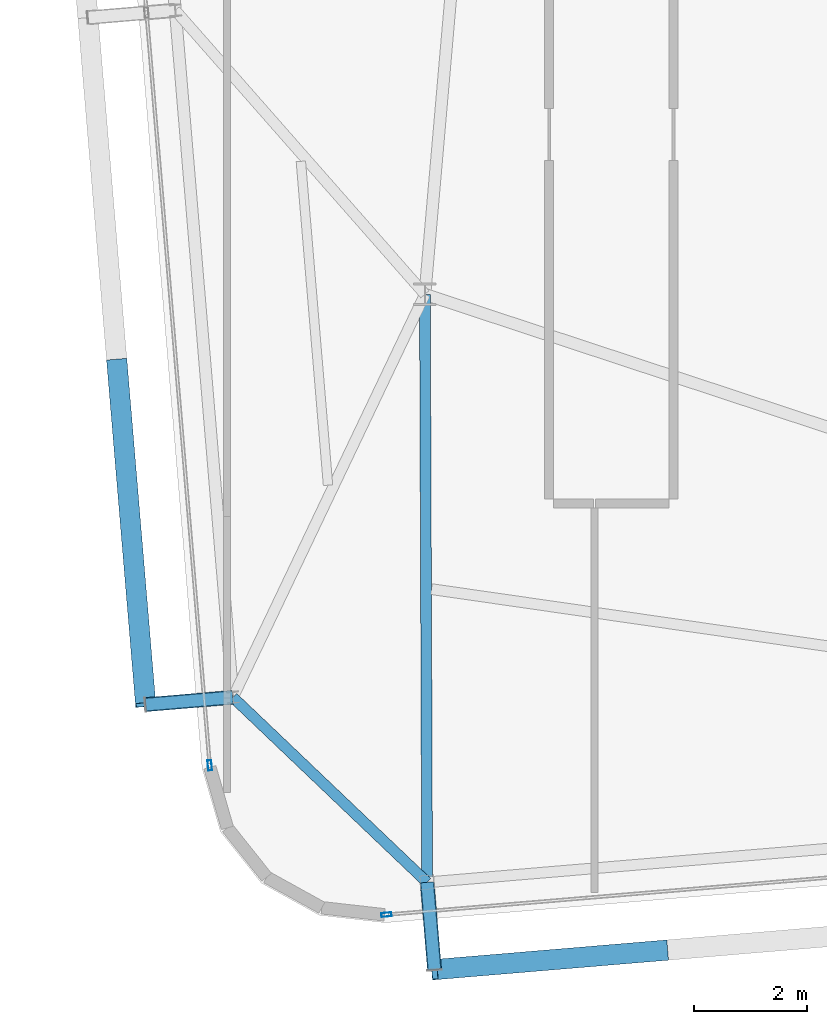
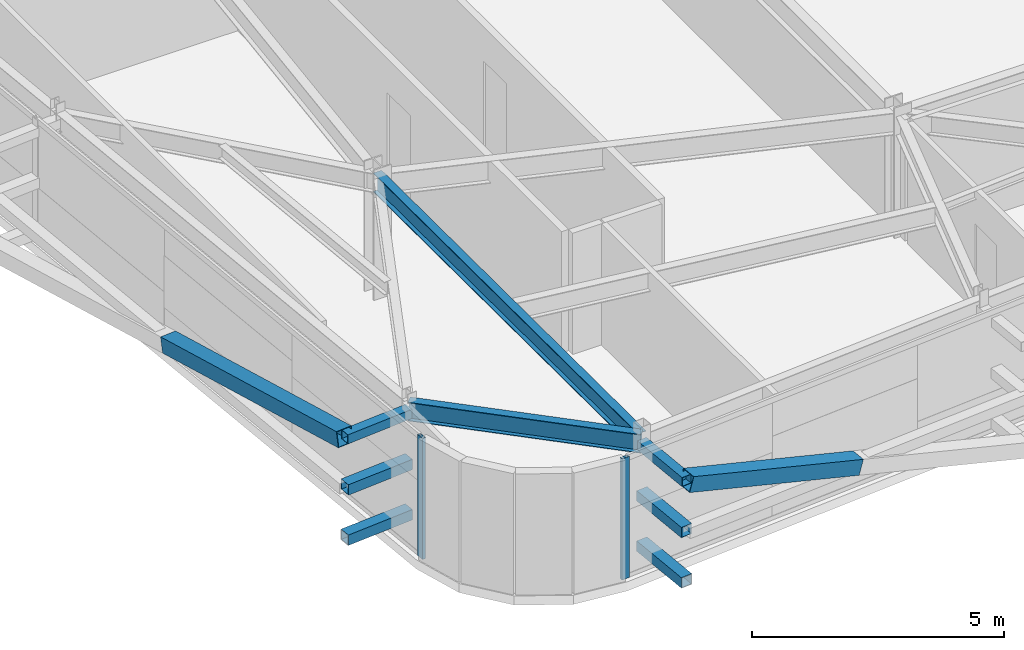
# One storey, part 7 of 39: 10 members, 2 beams, 2 elements without a shape of their own.
"""IFC4 building model written with IfcOpenShell, lengths in metres."""

from ifc_helpers import new_model, si_unit, direction, frame, origin, origin_2d, place, context, subcontext, project, spatial, hollow_rectangle, i_section, extrude, source, transform, mapped, material, layer, layer_set, material_profile, profile_set, type_object, element, aggregate, save


model = new_model("IFC4")

# Units and contexts
model_context = context("Model", 3, precision=1e-05, world=origin(), true_north=direction((0.0, 1.0)))
body_context = subcontext(model_context, "Body", "Model", "MODEL_VIEW")
ifc_project = project(units=[si_unit("LENGTHUNIT", "METRE"), si_unit("AREAUNIT", "SQUARE_METRE"), si_unit("VOLUMEUNIT", "CUBIC_METRE"), si_unit("PLANEANGLEUNIT", "RADIAN"), si_unit("MASSUNIT", "GRAM", prefix="KILO")], contexts=[model_context])

# Site, building, storey
site_placement = place(None, origin())
site = spatial("IfcSite", under=ifc_project, at=site_placement, CompositionType="ELEMENT")
building_placement = place(site_placement, origin())
building = spatial("IfcBuilding", under=site, at=building_placement, Name="Taldren Reach Tower", CompositionType="ELEMENT")
storey_placement = place(building_placement, frame((0.0, 0.0, 175.699951171875)))
storey = spatial("IfcBuildingStorey", under=building, at=storey_placement, Name="L53", CompositionType="ELEMENT", Elevation=175.699951171875)

# Members
ifc_material_1 = material(Name="Steel Gr 350 (C350L0)", Category="steel")
ifc_material_profile_1 = material_profile(ifc_material_1, hollow_rectangle(XDim=0.25, YDim=0.25, WallThickness=0.010009765625, at=origin_2d()), Name="250x250x10.0SHS")
ifc_profile_set_1 = profile_set([ifc_material_profile_1], Name="Steel Gr 350 (C350L0)")
member_type_1 = type_object("IfcMemberType", Name="MB-POST250", PredefinedType="POST", material=ifc_profile_set_1)
shared_shape_1 = source(origin(), body_context, "Body", "SweptSolid", [
    extrude(hollow_rectangle(XDim=0.25, YDim=0.25, WallThickness=0.010009765625, at=origin_2d()), origin(), (0.0, 0.0, 1.0), 1.5498046875),
])
for number, where, z_axis, x_axis, name in (
    (1, (18.03955078125, 2.093994140625, 0.219970703125), (0.083801560254, -0.996482462715, 0.0), (0.996482462715, 0.083801560254, 0.0), "Exoskeleton base diaphragm tie strut B4-S1 L53"),
    (2, (18.03955078125, 2.093994140625, 1.43505859375), (0.083801560254, -0.996482462715, 0.0), (0.996482462715, 0.083801560254, 0.0), "Exoskeleton mid-tier diaphragm tie B4-S1 L53"),
):
    element("IfcMember", number, at=place(storey_placement, frame(where, z_axis=z_axis, x_axis=x_axis)), inside=storey, type_object=member_type_1, Name=name, PredefinedType="POST", context=body_context, shape_type="MappedRepresentation", body=[
        mapped(shared_shape_1, transform((0.0, 0.0, 0.0), scale=1.0)),
    ])

# Beams
ifc_material_2 = material(Name="Steel Gr 350 (350PLUS)", Category="steel")
ifc_material_profile_2 = material_profile(ifc_material_2, i_section(OverallWidth=0.18994140625, OverallDepth=0.4541015625, WebThickness=0.008544921875, FlangeThickness=0.0126953125, at=origin_2d()), Name="460UB67.1")
ifc_profile_set_2 = profile_set([ifc_material_profile_2], Name="Steel Gr 350 (350PLUS)")
beam_type_1 = type_object("IfcBeamType", Name="SP-UB460B", PredefinedType="SPANDREL", material=ifc_profile_set_2)
shared_shape_2 = source(origin(), body_context, "Body", "SweptSolid", [
    extrude(i_section(OverallWidth=0.18994140625, OverallDepth=0.4541015625, WebThickness=0.008544921875, FlangeThickness=0.0126953125, at=origin_2d()), origin(), (0.0, 0.0, 1.0), 4.745849609375),
])
beam_1_placement = place(storey_placement, frame((14.603759765625, 5.367919921875, 2.703125), z_axis=(0.723954399605, -0.689847829084, 0.0), x_axis=(0.689847829084, 0.723954399605, 0.0)))
element("IfcBeam", 3, at=beam_1_placement, inside=storey, type_object=beam_type_1, Name="Perimeter spandrel B4 W1-S1 L53", PredefinedType="SPANDREL", context=body_context, shape_type="MappedRepresentation", body=[
    mapped(shared_shape_2, transform((0.0, 0.0, 0.0), scale=1.0)),
])
ifc_material_profile_3 = material_profile(ifc_material_2, i_section(OverallWidth=0.19091796875, OverallDepth=0.4599609375, WebThickness=0.010009765625, FlangeThickness=0.01611328125, at=origin_2d()), Name="460UB82.1")
ifc_profile_set_3 = profile_set([ifc_material_profile_3], Name="Steel Gr 350 (350PLUS)")
beam_type_2 = type_object("IfcBeamType", Name="BM-UB460A", PredefinedType="BEAM", material=ifc_profile_set_3)
shared_shape_3 = source(origin(), body_context, "Body", "SweptSolid", [
    extrude(i_section(OverallWidth=0.19091796875, OverallDepth=0.4599609375, WebThickness=0.010009765625, FlangeThickness=0.01611328125, at=origin_2d()), origin(), (0.0, 0.0, 1.0), 10.406005859375),
])
beam_2_placement = place(storey_placement, frame((18.0, 12.5, 2.699951171875), z_axis=(0.003800737393, -0.999992777172, 0.0), x_axis=(0.999992777172, 0.003800737393, 0.0)))
element("IfcBeam", 4, at=beam_2_placement, inside=storey, type_object=beam_type_2, Name="Primary floor girder B4-S1 L53", PredefinedType="BEAM", context=body_context, shape_type="MappedRepresentation", body=[
    mapped(shared_shape_3, transform((0.0, 0.0, 0.0), scale=1.0)),
])

# Members
ifc_material_3 = material(Name="Steel Gr 450 (C450L0)", Category="steel")
ifc_material_profile_4 = material_profile(ifc_material_3, hollow_rectangle(XDim=0.219970703125, YDim=0.219970703125, WallThickness=0.00830078125, at=origin_2d()), Name="220x220x8.2SHS")
ifc_profile_set_4 = profile_set([ifc_material_profile_4], Name="Steel Gr 450 (C450L0)")
member_type_2 = type_object("IfcMemberType", Name="MB-TIE219", PredefinedType="STRUT", material=ifc_profile_set_4)
shared_shape_4 = source(origin(), body_context, "Body", "SweptSolid", [
    extrude(hollow_rectangle(XDim=0.219970703125, YDim=0.219970703125, WallThickness=0.00830078125, at=origin_2d()), origin(), (0.0, 0.0, 1.0), 1.5498046875),
])
member_1_placement = place(storey_placement, frame((18.03955078125, 2.093994140625, 2.650146484375), z_axis=(0.083801560254, -0.996482462715, 0.0), x_axis=(0.996482462715, 0.083801560254, 0.0)))
element("IfcMember", 5, at=member_1_placement, inside=storey, type_object=member_type_2, Name="Exoskeleton diaphragm tie strut B4-S1 L53", PredefinedType="STRUT", context=body_context, shape_type="MappedRepresentation", body=[
    mapped(shared_shape_4, transform((0.0, 0.0, 0.0), scale=1.0)),
])
shared_shape_5 = source(origin(), body_context, "Body", "SweptSolid", [
    extrude(hollow_rectangle(XDim=0.219970703125, YDim=0.219970703125, WallThickness=0.00830078125, at=origin_2d()), origin(), (0.0, 0.0, 1.0), 1.54541015625),
])
member_2_placement = place(storey_placement, frame((14.59912109375, 5.36767578125, 2.650146484375), z_axis=(-0.99648887425, -0.083725285883, 0.0), x_axis=(0.083725285883, -0.99648887425, 0.0)))
element("IfcMember", 6, at=member_2_placement, inside=storey, type_object=member_type_2, Name="Exoskeleton diaphragm tie strut B4-W1 L53", PredefinedType="STRUT", context=body_context, shape_type="MappedRepresentation", body=[
    mapped(shared_shape_5, transform((0.0, 0.0, 0.0), scale=1.0)),
])
shared_shape_6 = source(origin(), body_context, "Body", "SweptSolid", [
    extrude(hollow_rectangle(XDim=0.25, YDim=0.25, WallThickness=0.010009765625, at=origin_2d()), origin(), (0.0, 0.0, 1.0), 1.54541015625),
])
for number, where, z_axis, x_axis, name in (
    (7, (14.59912109375, 5.36767578125, 0.219970703125), (-0.99648887425, -0.083725285883, 0.0), (0.083725285883, -0.99648887425, 0.0), "Exoskeleton base diaphragm tie strut B4-W1 L53"),
    (8, (14.59912109375, 5.36767578125, 1.43505859375), (-0.99648887425, -0.083725285883, 0.0), (0.083725285883, -0.99648887425, 0.0), "Exoskeleton mid-tier diaphragm tie B4-W1 L53"),
):
    element("IfcMember", number, at=place(storey_placement, frame(where, z_axis=z_axis, x_axis=x_axis)), inside=storey, type_object=member_type_1, Name=name, PredefinedType="POST", context=body_context, shape_type="MappedRepresentation", body=[
        mapped(shared_shape_6, transform((0.0, 0.0, 0.0), scale=1.0)),
    ])
ifc_material_profile_5 = material_profile(ifc_material_3, hollow_rectangle(XDim=0.360107421875, YDim=0.360107421875, WallThickness=0.0126953125, at=origin_2d()), Name="360x360x12.7SHS")
ifc_profile_set_5 = profile_set([ifc_material_profile_5], Name="Steel Gr 450 (C450L0)")
member_type_3 = type_object("IfcMemberType", Name="MB-EXO356", PredefinedType="BRACE", material=ifc_profile_set_5)
shared_shape_7 = source(origin(), body_context, "Body", "SweptSolid", [
    extrude(hollow_rectangle(XDim=0.360107421875, YDim=0.360107421875, WallThickness=0.0126953125, at=origin_2d()), origin(), (0.0, 0.0, 1.0), 4.2666015625),
])
member_3_placement = place(storey_placement, frame((22.2451171875, 0.8916015625, 1.43505859375), z_axis=(-0.955233542365, -0.080165460216, 0.28478479336), x_axis=(0.083628388178, -0.996497010879, 0.0)))
element("IfcMember", 9, at=member_3_placement, inside=storey, type_object=member_type_3, Name="Exoskeleton Diagrid Brace B4-S1 L53", PredefinedType="BRACE", context=body_context, shape_type="MappedRepresentation", body=[
    mapped(shared_shape_7, transform((0.0, 0.0, 0.0), scale=1.0)),
])
shared_shape_8 = source(origin(), body_context, "Body", "SweptSolid", [
    extrude(hollow_rectangle(XDim=0.360107421875, YDim=0.360107421875, WallThickness=0.0126953125, at=origin_2d()), origin(), (0.0, 0.0, 1.0), 6.219970703125),
])
member_4_placement = place(storey_placement, frame((12.548583984375, 11.31689453125, 1.43505859375), z_axis=(0.082075564879, -0.977291924611, 0.195356330179), x_axis=(0.996492003099, 0.083688038336, 0.0)))
element("IfcMember", 10, at=member_4_placement, inside=storey, type_object=member_type_3, Name="Exoskeleton Diagrid Brace B4-W1 L53", PredefinedType="BRACE", context=body_context, shape_type="MappedRepresentation", body=[
    mapped(shared_shape_8, transform((0.0, 0.0, 0.0), scale=1.0)),
])

# Curtain wall, member
ifc_material_4 = material(Name="Aluminium and Low-E Glass Unitised System", Category="aluminium")
ifc_layer = layer(ifc_material_4, 0.159912109375)
ifc_layer_set = layer_set([ifc_layer], Name="Aluminium and Low-E Glass Unitised System")
curtain_wall_type = type_object("IfcCurtainWallType", Name="CW-SYS-5", PredefinedType="NOTDEFINED", material=ifc_layer_set)
curtain_wall_1_placement = place(storey_placement, origin())
curtain_wall_1 = element("IfcCurtainWall", 11, at=curtain_wall_1_placement, inside=storey, type_object=curtain_wall_type, Name="Unitised curtain wall CW-L53-S", PredefinedType="NOTDEFINED")
ifc_material_5 = material(Name="Anodised Aluminium 6063-T6", Category="aluminium")
ifc_material_profile_6 = material_profile(ifc_material_5, hollow_rectangle(XDim=0.070068359375, YDim=0.179931640625, WallThickness=0.00390625, at=origin_2d()), Name="ALU-180x70x4RHS")
ifc_profile_set_6 = profile_set([ifc_material_profile_6], Name="Anodised Aluminium 6063-T6")
member_type_4 = type_object("IfcMemberType", Name="CW-MUL-180", PredefinedType="MULLION", material=ifc_profile_set_6)
shared_shape_9 = source(origin(), body_context, "Body", "SweptSolid", [
    extrude(hollow_rectangle(XDim=0.070068359375, YDim=0.179931640625, WallThickness=0.00390625, at=origin_2d()), origin(), (0.0, 0.0, 1.0), 2.929931640625),
])
member_5_placement = place(storey_placement, frame((17.320068359375, 1.521728515625, 0.0), z_axis=(0.0, 0.0, 1.0), x_axis=(-0.083677894865, 0.996492854922, 0.0)))
member_5 = element("IfcMember", 12, at=member_5_placement, type_object=member_type_4, Name="CW-5 mullion 1", PredefinedType="MULLION", context=body_context, shape_type="MappedRepresentation", body=[
    mapped(shared_shape_9, transform((0.0, 0.0, 0.0), scale=1.0)),
])
aggregate(curtain_wall_1, [member_5])

curtain_wall_2_placement = place(storey_placement, origin())
curtain_wall_2 = element("IfcCurtainWall", 13, at=curtain_wall_2_placement, inside=storey, type_object=curtain_wall_type, Name="Unitised curtain wall CW-L53-W", PredefinedType="NOTDEFINED")
member_6_placement = place(storey_placement, frame((14.19287109375, 4.164306640625, 0.0), z_axis=(0.0, 0.0, 1.0), x_axis=(0.996492847789, 0.083677979808, 0.0)))
member_6 = element("IfcMember", 14, at=member_6_placement, type_object=member_type_4, Name="CW-5 mullion 3", PredefinedType="MULLION", context=body_context, shape_type="MappedRepresentation", body=[
    mapped(shared_shape_9, transform((0.0, 0.0, 0.0), scale=1.0)),
])
aggregate(curtain_wall_2, [member_6])

save(model, "model.ifc")
